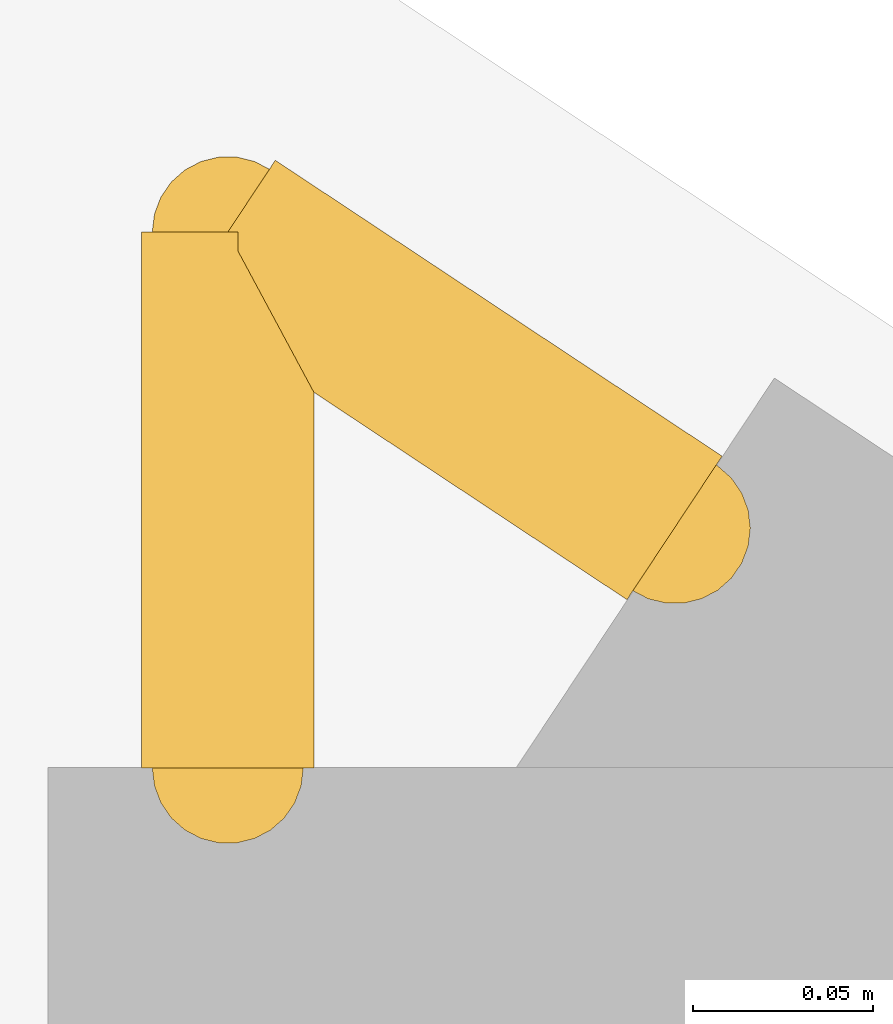
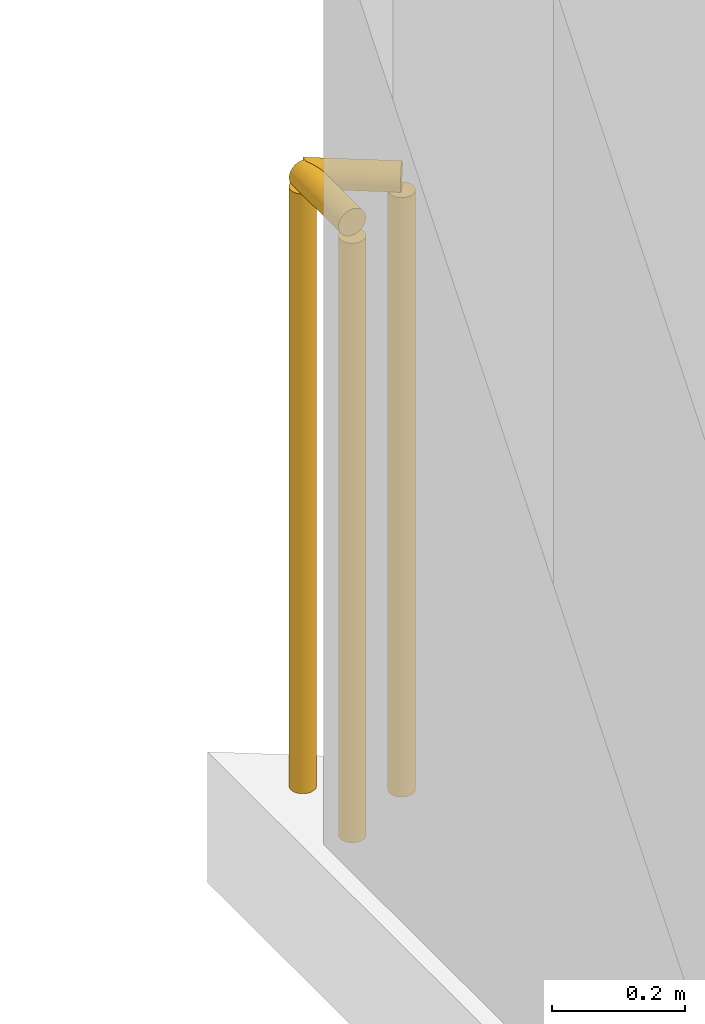
# One storey, part 18 of 19: 2 railings.
"""IFC4 building model written with IfcOpenShell, lengths in metres."""

from ifc_helpers import new_model, si_unit, direction, frame, origin, origin_2d, place, context, subcontext, project, spatial, circle, extrude, material, type_object, element, save


model = new_model("IFC4")

# Units and contexts
model_context = context("Model", 3, precision=1e-05, world=origin(), true_north=direction((0.0, 1.0)))
body_context = subcontext(model_context, "Body", "Model", "MODEL_VIEW")
ifc_project = project(units=[si_unit("LENGTHUNIT", "METRE"), si_unit("AREAUNIT", "SQUARE_METRE"), si_unit("VOLUMEUNIT", "CUBIC_METRE"), si_unit("PLANEANGLEUNIT", "RADIAN"), si_unit("MASSUNIT", "GRAM", prefix="KILO")], contexts=[model_context])

# Site, building, storey
site_placement = place(None, origin())
site = spatial("IfcSite", under=ifc_project, at=site_placement, CompositionType="ELEMENT")
building_placement = place(site_placement, origin())
building = spatial("IfcBuilding", under=site, at=building_placement, Name="Varnakote Quay Hospital", CompositionType="ELEMENT")
storey_placement = place(building_placement, frame((0.0, 0.0, 115.199951171875)))
storey = spatial("IfcBuildingStorey", under=building, at=storey_placement, Name="L28", CompositionType="ELEMENT", Elevation=115.199951171875)

# Railings
ifc_material = material(Name="Anodised aluminium 6063-T6 Bronze", Category="aluminium")
railing_type = type_object("IfcRailingType", Name="RLG-EXT-GUARD-1150", PredefinedType="GUARDRAIL", material=ifc_material)
railing_1_placement = place(storey_placement, frame((2.679931640625, 43.10205078125, 0.0)))
element("IfcRailing", 1, at=railing_1_placement, inside=storey, type_object=railing_type, Name="L28 Slab Edge Perimeter Safety Guard", PredefinedType="GUARDRAIL", context=body_context, shape_type="SweptSolid", body=[
    extrude(circle(Radius=0.02392578125, at=origin_2d()), frame((0.0, 0.0, 1.1259765625), z_axis=(0.0, 1.0, 0.0), x_axis=(-1.0, 0.0, 0.0)), (0.0, 0.0, 1.0), 0.14892578125),
    extrude(circle(Radius=0.02099609375, at=origin_2d()), origin(), (0.0, 0.0, 1.0), 1.101806640625),
    extrude(circle(Radius=0.02099609375, at=origin_2d()), frame((0.0, 0.14892578125, 0.0)), (0.0, 0.0, 1.0), 1.101806640625),
])
railing_2_placement = place(storey_placement, frame((2.679931640625, 43.2509765625, 0.0)))
element("IfcRailing", 2, at=railing_2_placement, inside=storey, type_object=railing_type, Name="L28 Slab Edge Perimeter Safety Guard", PredefinedType="GUARDRAIL", context=body_context, shape_type="SweptSolid", body=[
    extrude(circle(Radius=0.02392578125, at=origin_2d()), frame((0.0, 0.0, 1.1259765625), z_axis=(0.833810230731, -0.552051174374, 0.0), x_axis=(0.552051174374, 0.833810230731, 0.0)), (0.0, 0.0, 1.0), 0.14892578125),
    extrude(circle(Radius=0.02099609375, at=origin_2d()), origin(), (0.0, 0.0, 1.0), 1.101806640625),
    extrude(circle(Radius=0.02099609375, at=origin_2d()), frame((0.124267578125, -0.082275390625, 0.0)), (0.0, 0.0, 1.0), 1.101806640625),
])

save(model, "model.ifc")
